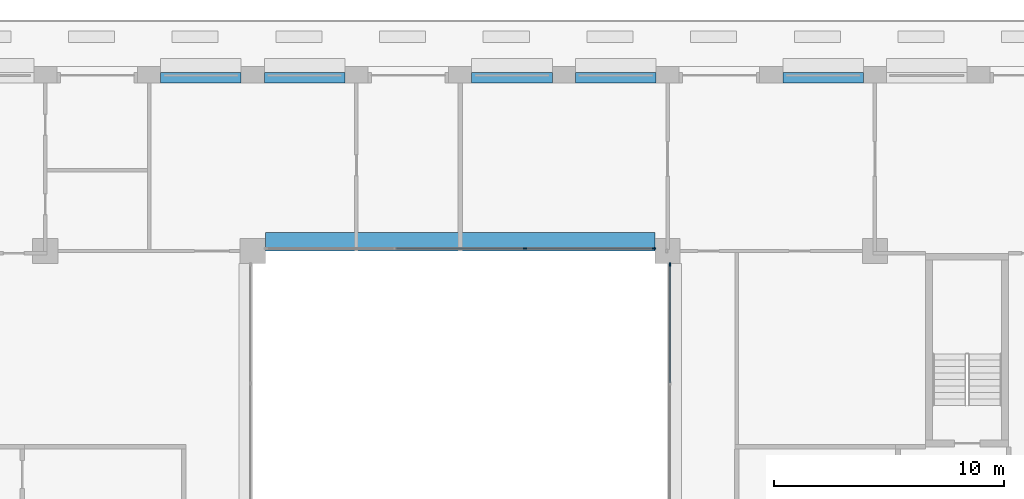
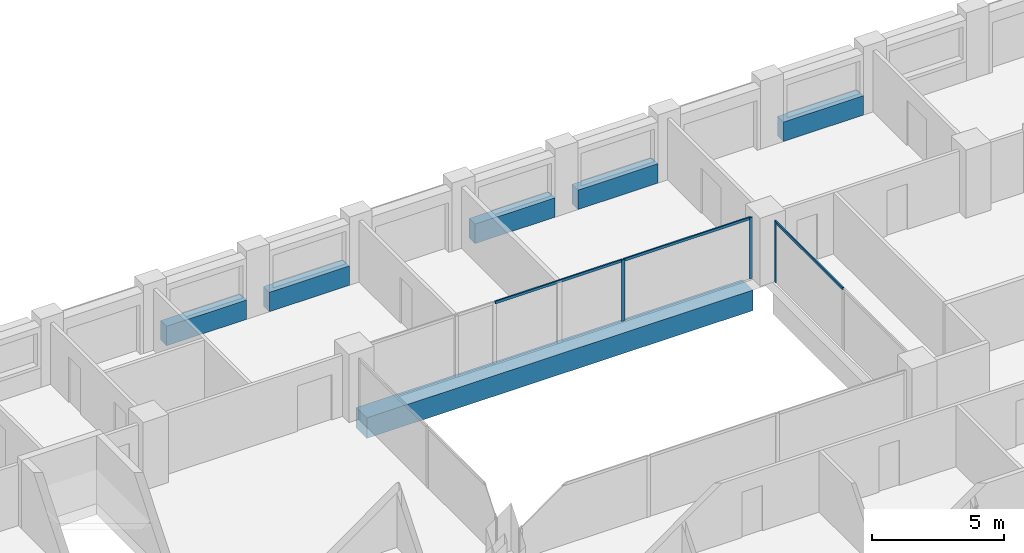
# One storey, part 6 of 17: 6 beams, 6 members, 2 elements without a shape of their own.
"""IFC4 building model written with IfcOpenShell, lengths in metres."""

from ifc_helpers import new_model, si_unit, direction, frame, origin, origin_2d, place, context, subcontext, project, spatial, rectangle, extrude, material, layer, layer_set, material_profile, profile_set, type_object, element, aggregate, save


model = new_model("IFC4")

# Units and contexts
model_context = context("Model", 3, precision=1e-05, world=origin(), true_north=direction((0.0, 1.0)))
body_context = subcontext(model_context, "Body", "Model", "MODEL_VIEW")
ifc_project = project(units=[si_unit("LENGTHUNIT", "METRE"), si_unit("AREAUNIT", "SQUARE_METRE"), si_unit("VOLUMEUNIT", "CUBIC_METRE"), si_unit("PLANEANGLEUNIT", "RADIAN"), si_unit("MASSUNIT", "GRAM", prefix="KILO")], contexts=[model_context])

# Site, building, storey
site_placement = place(None, origin())
site = spatial("IfcSite", under=ifc_project, at=site_placement, CompositionType="ELEMENT")
building_placement = place(site_placement, origin())
building = spatial("IfcBuilding", under=site, at=building_placement, Name="Brigalow Station Residences", CompositionType="ELEMENT")
storey_placement = place(building_placement, frame((0.0, 0.0, 141.300048828125)))
storey = spatial("IfcBuildingStorey", under=building, at=storey_placement, Name="L40", CompositionType="ELEMENT", Elevation=141.300048828125)

# Beam
ifc_material_1 = material(Name="Concrete C65", Category="concrete")
ifc_material_profile_1 = material_profile(ifc_material_1, rectangle(XDim=0.800048828125, YDim=0.949951171875, at=origin_2d()), Name="RC800x950")
ifc_profile_set_1 = profile_set([ifc_material_profile_1], Name="Concrete C65")
beam_type_1 = type_object("IfcBeamType", Name="ATRIUM EDGE GIRDER OVER 13.5 M SPAN 800x950 C65", PredefinedType="BEAM", material=ifc_profile_set_1)
beam_placement = place(storey_placement, frame((27.550048828125, 35.89990234375, -0.97509765625), z_axis=(1.0, 0.0, 0.0), x_axis=(0.0, 1.0, 0.0)))
element("IfcBeam", 1, at=beam_placement, inside=storey, type_object=beam_type_1, Name="ATRIUM EDGE GIRDER D L40", PredefinedType="BEAM", context=body_context, shape_type="SweptSolid", body=[
    extrude(rectangle(XDim=0.800048828125, YDim=0.949951171875, at=origin_2d()), origin(), (0.0, 0.0, 1.0), 16.89990234375),
])

# Curtain wall, member
ifc_material_2 = material(Name="Aluminium", Category="aluminium")
ifc_layer = layer(ifc_material_2, 0.14990234375)
ifc_layer_set = layer_set([ifc_layer], Name="ATRIUM FIRE-RATED GLAZING CURTAIN WALL")
curtain_wall_type = type_object("IfcCurtainWallType", Name="ATRIUM FIRE-RATED GLAZING CURTAIN WALL", PredefinedType="NOTDEFINED", material=ifc_layer_set)
curtain_wall_1_placement = place(storey_placement, origin())
curtain_wall_1 = element("IfcCurtainWall", 2, at=curtain_wall_1_placement, inside=storey, type_object=curtain_wall_type, Name="L40/cw/atrium-E", PredefinedType="NOTDEFINED")
ifc_material_3 = material(Name="Aluminium", Category="aluminium")
ifc_material_profile_2 = material_profile(ifc_material_3, rectangle(XDim=0.06005859375, YDim=0.14990234375, at=origin_2d()), Name="ATRIUM FIRE-RATED GLAZING MULLION 60x150")
ifc_profile_set_2 = profile_set([ifc_material_profile_2], Name="Aluminium")
member_type_1 = type_object("IfcMemberType", Name="ATRIUM FIRE-RATED GLAZING MULLION 60x150", PredefinedType="MULLION", material=ifc_profile_set_2)
member_1_placement = place(storey_placement, frame((45.10009765625, 34.919921875, 0.0), z_axis=(0.0, 0.0, 1.0), x_axis=(-1.0, 0.0, 0.0)))
member_1 = element("IfcMember", 3, at=member_1_placement, type_object=member_type_1, Name="L40/cw/atrium-E/M02", PredefinedType="MULLION", context=body_context, shape_type="SweptSolid", body=[
    extrude(rectangle(XDim=0.06005859375, YDim=0.14990234375, at=origin_2d()), origin(), (0.0, 0.0, 1.0), 2.829833984375),
])

# Curtain wall, members
curtain_wall_2_placement = place(storey_placement, origin())
curtain_wall_2 = element("IfcCurtainWall", 4, at=curtain_wall_2_placement, inside=storey, type_object=curtain_wall_type, Name="L40/cw/atrium-N", PredefinedType="NOTDEFINED")
member_2_placement = place(storey_placement, frame((44.419921875, 35.60009765625, 0.0), z_axis=(0.0, 0.0, 1.0), x_axis=(0.0, -1.0, 0.0)))
member_2 = element("IfcMember", 5, at=member_2_placement, type_object=member_type_1, Name="L40/cw/atrium-N/M00", PredefinedType="MULLION", context=body_context, shape_type="SweptSolid", body=[
    extrude(rectangle(XDim=0.06005859375, YDim=0.14990234375, at=origin_2d()), origin(), (0.0, 0.0, 1.0), 2.829833984375),
])
member_3_placement = place(storey_placement, frame((38.816650390625, 35.60009765625, 0.0), z_axis=(0.0, 0.0, 1.0), x_axis=(0.0, -1.0, 0.0)))
member_3 = element("IfcMember", 6, at=member_3_placement, type_object=member_type_1, Name="L40/cw/atrium-N/M01", PredefinedType="MULLION", context=body_context, shape_type="SweptSolid", body=[
    extrude(rectangle(XDim=0.06005859375, YDim=0.14990234375, at=origin_2d()), origin(), (0.0, 0.0, 1.0), 2.829833984375),
])

# Member
ifc_material_4 = material(Name="Aluminium", Category="aluminium")
ifc_material_profile_3 = material_profile(ifc_material_4, rectangle(XDim=0.06005859375, YDim=0.1201171875, at=origin_2d()), Name="ATRIUM FIRE-RATED GLAZING TRANSOM 60x120")
ifc_profile_set_3 = profile_set([ifc_material_profile_3], Name="Aluminium")
member_type_2 = type_object("IfcMemberType", Name="ATRIUM FIRE-RATED GLAZING TRANSOM 60x120", PredefinedType="USERDEFINED", material=ifc_profile_set_3)
member_4_placement = place(storey_placement, frame((45.10009765625, 29.780029296875, 2.800048828125), z_axis=(0.0, 1.0, 0.0), x_axis=(-1.0, 0.0, 0.0)))
member_4 = element("IfcMember", 7, at=member_4_placement, type_object=member_type_2, Name="L40/cw/atrium-E/T01-00", ObjectType="TRANSOM", PredefinedType="USERDEFINED", context=body_context, shape_type="SweptSolid", body=[
    extrude(rectangle(XDim=0.06005859375, YDim=0.1201171875, at=origin_2d()), origin(), (0.0, 0.0, 1.0), 5.10986328125),
])

aggregate(curtain_wall_1, [member_1, member_4])

member_5_placement = place(storey_placement, frame((44.389892578125, 35.60009765625, 2.800048828125), z_axis=(-1.0, 0.0, 0.0), x_axis=(0.0, -1.0, 0.0)))
member_5 = element("IfcMember", 8, at=member_5_placement, type_object=member_type_2, Name="L40/cw/atrium-N/T00-00", ObjectType="TRANSOM", PredefinedType="USERDEFINED", context=body_context, shape_type="SweptSolid", body=[
    extrude(rectangle(XDim=0.06005859375, YDim=0.1201171875, at=origin_2d()), origin(), (0.0, 0.0, 1.0), 5.543212890625),
])

member_6_placement = place(storey_placement, frame((38.78662109375, 35.60009765625, 2.800048828125), z_axis=(-1.0, 0.0, 0.0), x_axis=(0.0, -1.0, 0.0)))
member_6 = element("IfcMember", 9, at=member_6_placement, type_object=member_type_2, Name="L40/cw/atrium-N/T01-00", ObjectType="TRANSOM", PredefinedType="USERDEFINED", context=body_context, shape_type="SweptSolid", body=[
    extrude(rectangle(XDim=0.06005859375, YDim=0.1201171875, at=origin_2d()), origin(), (0.0, 0.0, 1.0), 5.5732421875),
])

aggregate(curtain_wall_2, [member_2, member_3, member_5, member_6])

# Beams
ifc_material_5 = material(Name="Concrete C50", Category="concrete")
ifc_material_profile_4 = material_profile(ifc_material_5, rectangle(XDim=0.449951171875, YDim=0.89990234375, at=origin_2d()), Name="RC450x900")
ifc_profile_set_4 = profile_set([ifc_material_profile_4], Name="Concrete C50")
beam_type_2 = type_object("IfcBeamType", Name="SPANDREL BEAM 450x900 C50", PredefinedType="SPANDREL", material=ifc_profile_set_4)
for number, where, z_axis, x_axis, name in (
    (10, (53.5, 43.02490234375, 0.449951171875), (-1.0, 0.0, 0.0), (0.0, -1.0, 0.0), "L40/spandrel/W-L40-25"),
    (11, (44.5, 43.02490234375, 0.449951171875), (-1.0, 0.0, 0.0), (0.0, -1.0, 0.0), "L40/spandrel/W-L40-27"),
    (12, (40.0, 43.02490234375, 0.449951171875), (-1.0, 0.0, 0.0), (0.0, -1.0, 0.0), "L40/spandrel/W-L40-28"),
    (13, (31.0, 43.02490234375, 0.449951171875), (-1.0, 0.0, 0.0), (0.0, -1.0, 0.0), "L40/spandrel/W-L40-30"),
    (14, (26.5, 43.02490234375, 0.449951171875), (-1.0, 0.0, 0.0), (0.0, -1.0, 0.0), "L40/spandrel/W-L40-31"),
):
    element("IfcBeam", number, at=place(storey_placement, frame(where, z_axis=z_axis, x_axis=x_axis)), inside=storey, type_object=beam_type_2, Name=name, PredefinedType="SPANDREL", context=body_context, shape_type="SweptSolid", body=[
        extrude(rectangle(XDim=0.449951171875, YDim=0.89990234375, at=origin_2d()), origin(), (0.0, 0.0, 1.0), 3.5),
    ])

save(model, "model.ifc")
